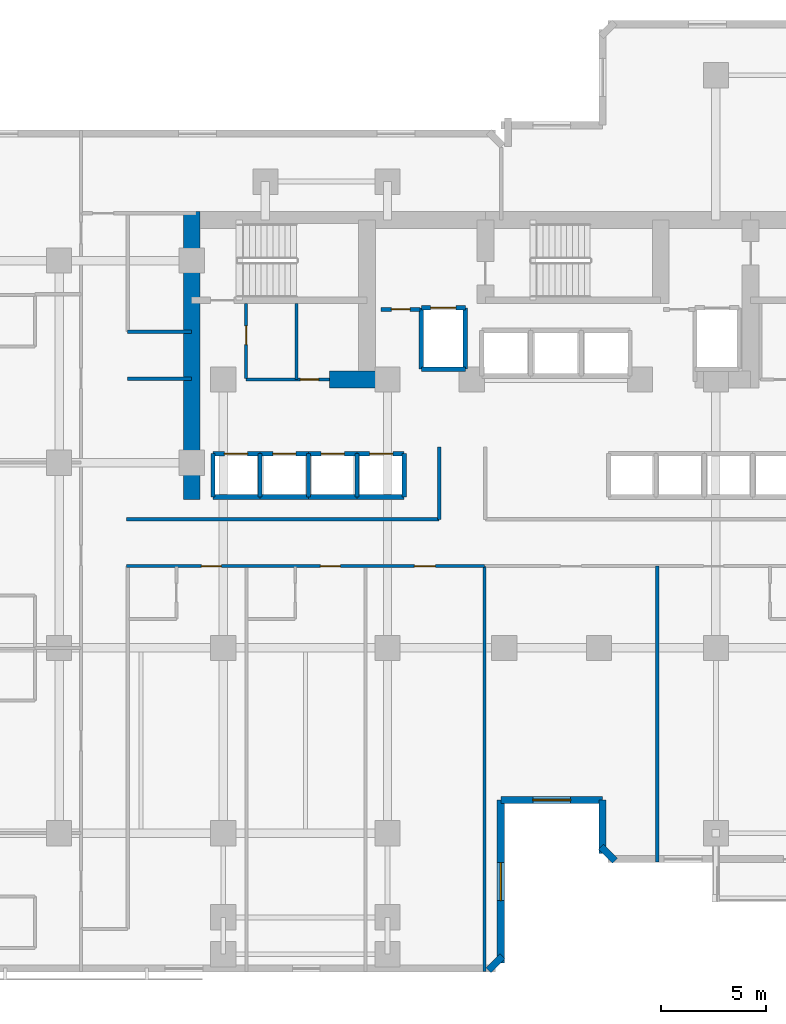
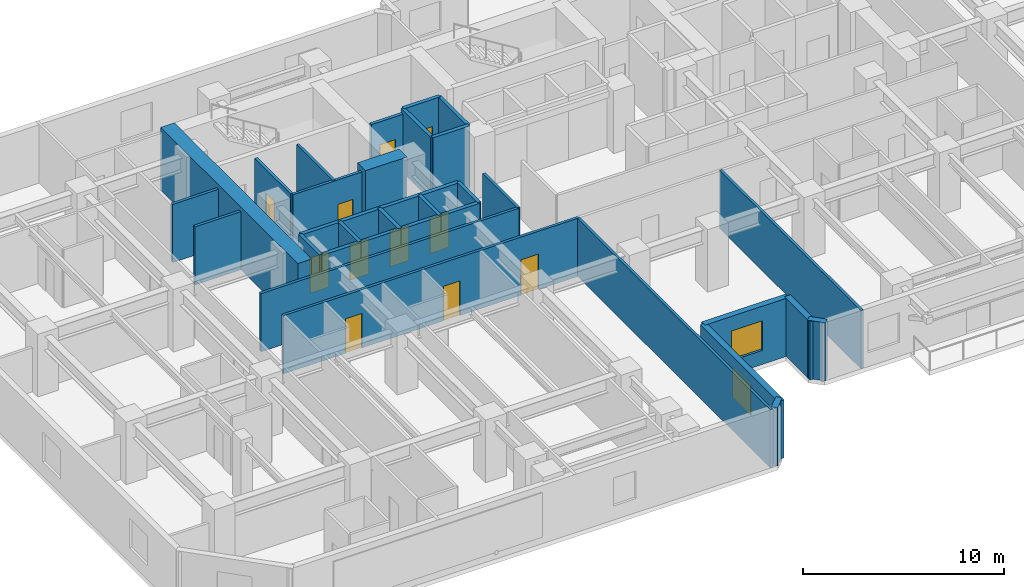
# One storey, part 7 of 13: 35 walls, 11 doors, 2 windows, 13 openings.
"""IFC4 building model written with IfcOpenShell, lengths in metres."""

from ifc_helpers import new_model, si_unit, direction, frame, frame_2d, origin, place, context, subcontext, project, spatial, rectangle, extrude, material, layer, layer_set, type_object, element, fill, save


model = new_model("IFC4")

# Units and contexts
model_context = context("Model", 3, precision=1e-05, world=origin(), true_north=direction((0.0, 1.0)))
body_context = subcontext(model_context, "Body", "Model", "MODEL_VIEW")
ifc_project = project(units=[si_unit("LENGTHUNIT", "METRE"), si_unit("AREAUNIT", "SQUARE_METRE"), si_unit("VOLUMEUNIT", "CUBIC_METRE"), si_unit("PLANEANGLEUNIT", "RADIAN"), si_unit("MASSUNIT", "GRAM", prefix="KILO")], contexts=[model_context])

# Site, building, storey
site_placement = place(None, origin())
site = spatial("IfcSite", under=ifc_project, at=site_placement, CompositionType="ELEMENT")
building_placement = place(site_placement, origin())
building = spatial("IfcBuilding", under=site, at=building_placement, Name="Kestravale Grand Hotel", CompositionType="ELEMENT")
storey_placement = place(building_placement, frame((0.0, 0.0, 88.0)))
storey = spatial("IfcBuildingStorey", under=building, at=storey_placement, Name="L21", CompositionType="ELEMENT", Elevation=88.0)

# Walls
ifc_material_1 = material(Name="Concrete f'c 60 MPa", Category="concrete")
ifc_layer_1 = layer(ifc_material_1, 0.800048828125)
ifc_layer_set_1 = layer_set([ifc_layer_1], Name="EW-CORE-800")
wall_type_1 = type_object("IfcWallType", Name="EW-CORE-800", PredefinedType="SHEAR", material=ifc_layer_set_1)
wall_1_placement = place(storey_placement, frame((21.89990234375, 27.050048828125, 0.0), z_axis=(0.0, 0.0, 1.0), x_axis=(0.0, 1.0, 0.0)))
element("IfcWall", 1, at=wall_1_placement, inside=storey, type_object=wall_type_1, Name="L21 core shear wall W1", PredefinedType="SHEAR", context=body_context, shape_type="SweptSolid", body=[
    extrude(rectangle(XDim=13.669921875, YDim=0.800048828125, at=frame_2d((6.8349609375, 0.0))), origin(), (0.0, 0.0, 1.0), 3.800048828125),
])
wall_2_placement = place(storey_placement, frame((28.449951171875, 32.75, 0.0), z_axis=(0.0, 0.0, 1.0), x_axis=(1.0, 0.0, 0.0)))
element("IfcWall", 2, at=wall_2_placement, inside=storey, type_object=wall_type_1, Name="L21 core shear wall S1", PredefinedType="SHEAR", context=body_context, shape_type="SweptSolid", body=[
    extrude(rectangle(XDim=2.400146484375, YDim=0.800048828125, at=frame_2d((1.2001953125, 0.0))), origin(), (0.0, 0.0, 1.0), 3.800048828125),
])
ifc_material_2 = material(Name="Precast concrete f'c 45 MPa", Category="concrete")
ifc_layer_2 = layer(ifc_material_2, 0.340087890625)
ifc_layer_set_2 = layer_set([ifc_layer_2], Name="EW-PREC-340")
wall_type_2 = type_object("IfcWallType", Name="EW-PREC-340", PredefinedType="SOLIDWALL", material=ifc_layer_set_2)
wall_3_placement = place(storey_placement, frame((36.00146484375, 4.69189453125, 0.0), z_axis=(0.0, 0.0, 1.0), x_axis=(0.707238225886, 0.706975312048, 0.0)))
element("IfcWall", 3, at=wall_3_placement, inside=storey, type_object=wall_type_2, Name="L21 fluted precast facade wall 2", PredefinedType="SOLIDWALL", context=body_context, shape_type="SweptSolid", body=[
    extrude(rectangle(XDim=0.9287109375, YDim=0.340087890625, at=frame_2d((0.46435546875, 0.0))), origin(), (0.0, 0.0, 1.0), 3.5400390625),
])

# Wall, opening, window
wall_4_placement = place(storey_placement, frame((36.580078125, 5.030029296875, 0.0), z_axis=(0.0, 0.0, 1.0), x_axis=(0.0, 1.0, 0.0)))
wall_4 = element("IfcWall", 4, at=wall_4_placement, inside=storey, type_object=wall_type_2, Name="L21 fluted precast facade wall 3", PredefinedType="SOLIDWALL", context=body_context, shape_type="SweptSolid", body=[
    extrude(rectangle(XDim=7.739990234375, YDim=0.340087890625, at=frame_2d((3.8701171875, 0.0))), origin(), (0.0, 0.0, 1.0), 3.5400390625),
])
opening_1_placement = place(wall_4_placement, frame((2.969970703125, 0.0, 0.85009765625)))
opening_1 = element("IfcOpeningElement", 5, at=opening_1_placement, cuts=wall_4, Name="Opening W-GUEST-1800", PredefinedType="OPENING", context=body_context, shape_type="SweptSolid", body=[
    extrude(rectangle(XDim=1.800048828125, YDim=1.800048828125, at=frame_2d((0.89990234375, 0.89990234375))), frame((0.0, 0.179931640625, 0.0), z_axis=(0.0, -1.0, 0.0), x_axis=(1.0, 0.0, 0.0)), (0.0, 0.0, 1.0), 0.360107421875),
])
ifc_material_3 = material(Name="Insulated low-E double glazing in aluminium frame", Category="aluminium")
window_type = type_object("IfcWindowType", Name="W-GUEST-1800", PartitioningType="DOUBLE_PANEL_VERTICAL", PredefinedType="WINDOW", material=ifc_material_3)
window_1_placement = place(opening_1_placement, origin())
window_1 = element("IfcWindow", 6, at=window_1_placement, inside=storey, type_object=window_type, Name="L21 exterior window 3.1", OverallHeight=1.800048828125, OverallWidth=1.800048828125, PartitioningType="SINGLE_PANEL", PredefinedType="WINDOW", context=body_context, shape_type="SweptSolid", body=[
    extrude(rectangle(XDim=1.800048828125, YDim=1.800048828125, at=frame_2d((0.89990234375, 0.89990234375))), frame((0.0, 0.030029296875, 0.0), z_axis=(0.0, -1.0, 0.0), x_axis=(1.0, 0.0, 0.0)), (0.0, 0.0, 1.0), 0.06005859375),
])
fill(opening_1, window_1)

wall_5_placement = place(storey_placement, frame((36.580078125, 12.77001953125, 0.0), z_axis=(0.0, 0.0, 1.0), x_axis=(1.0, 0.0, 0.0)))
wall_5 = element("IfcWall", 7, at=wall_5_placement, inside=storey, type_object=wall_type_2, Name="L21 fluted precast facade wall 4", PredefinedType="SOLIDWALL", context=body_context, shape_type="SweptSolid", body=[
    extrude(rectangle(XDim=4.83984375, YDim=0.340087890625, at=frame_2d((2.419921875, 0.0))), origin(), (0.0, 0.0, 1.0), 3.5400390625),
])
opening_2_placement = place(wall_5_placement, frame((1.52001953125, 0.0, 0.85009765625)))
opening_2 = element("IfcOpeningElement", 8, at=opening_2_placement, cuts=wall_5, Name="Opening W-GUEST-1800", PredefinedType="OPENING", context=body_context, shape_type="SweptSolid", body=[
    extrude(rectangle(XDim=1.800048828125, YDim=1.800048828125, at=frame_2d((0.89990234375, 0.89990234375))), frame((0.0, 0.179931640625, 0.0), z_axis=(0.0, -1.0, 0.0), x_axis=(1.0, 0.0, 0.0)), (0.0, 0.0, 1.0), 0.360107421875),
])
window_2_placement = place(opening_2_placement, origin())
window_2 = element("IfcWindow", 9, at=window_2_placement, inside=storey, type_object=window_type, Name="L21 exterior window 4.1", OverallHeight=1.800048828125, OverallWidth=1.800048828125, PartitioningType="SINGLE_PANEL", PredefinedType="WINDOW", context=body_context, shape_type="SweptSolid", body=[
    extrude(rectangle(XDim=1.800048828125, YDim=1.800048828125, at=frame_2d((0.89990234375, 0.89990234375))), frame((0.0, 0.030029296875, 0.0), z_axis=(0.0, -1.0, 0.0), x_axis=(1.0, 0.0, 0.0)), (0.0, 0.0, 1.0), 0.06005859375),
])
fill(opening_2, window_2)

# Walls
wall_6_placement = place(storey_placement, frame((41.419921875, 12.77001953125, 0.0), z_axis=(0.0, 0.0, 1.0), x_axis=(0.0, -1.0, 0.0)))
element("IfcWall", 10, at=wall_6_placement, inside=storey, type_object=wall_type_2, Name="L21 fluted precast facade wall 5", PredefinedType="SOLIDWALL", context=body_context, shape_type="SweptSolid", body=[
    extrude(rectangle(XDim=2.5400390625, YDim=0.340087890625, at=frame_2d((1.27001953125, 0.0))), origin(), (0.0, 0.0, 1.0), 3.5400390625),
])
wall_7_placement = place(storey_placement, frame((41.341796875, 10.548583984375, 0.0), z_axis=(0.0, 0.0, 1.0), x_axis=(0.707106781187, -0.707106781187, 0.0)))
element("IfcWall", 11, at=wall_7_placement, inside=storey, type_object=wall_type_2, Name="L21 fluted precast facade wall 6", PredefinedType="SOLIDWALL", context=body_context, shape_type="SweptSolid", body=[
    extrude(rectangle(XDim=0.9287109375, YDim=0.340087890625, at=frame_2d((0.46435546875, 0.0))), origin(), (0.0, 0.0, 1.0), 3.5400390625),
])

# Wall, opening, door
ifc_material_4 = material(Name="Acoustic fire-rated gypsum board partition", Category="other")
ifc_layer_3 = layer(ifc_material_4, 0.159912109375)
ifc_layer_set_3 = layer_set([ifc_layer_3], Name="IW-CORR-160")
wall_type_3 = type_object("IfcWallType", Name="IW-CORR-160", PredefinedType="PARTITIONING", material=ifc_layer_set_3)
wall_8_placement = place(storey_placement, frame((24.47998046875, 32.800048828125, 0.0), z_axis=(0.0, 0.0, 1.0), x_axis=(0.0, 1.0, 0.0)))
wall_8 = element("IfcWall", 12, at=wall_8_placement, inside=storey, type_object=wall_type_3, Name="L21 west core vestibule wall", PredefinedType="PARTITIONING", context=body_context, shape_type="SweptSolid", body=[
    extrude(rectangle(XDim=3.570068359375, YDim=0.159912109375, at=frame_2d((1.78515625, 0.0))), origin(), (0.0, 0.0, 1.0), 3.5400390625),
])
opening_3_placement = place(wall_8_placement, frame((1.603515625, 0.0, 0.0)))
opening_3 = element("IfcOpeningElement", 13, at=opening_3_placement, cuts=wall_8, Name="Opening D-SH-900", PredefinedType="OPENING", context=body_context, shape_type="SweptSolid", body=[
    extrude(rectangle(XDim=0.89990234375, YDim=2.10009765625, at=frame_2d((0.449951171875, 1.050048828125))), frame((0.0, 0.08984375, 0.0), z_axis=(0.0, -1.0, 0.0), x_axis=(1.0, 0.0, 0.0)), (0.0, 0.0, 1.0), 0.179931640625),
])
ifc_material_5 = material(Name="Galvanised 90-minute shaft and service fire door", Category="steel")
door_type_1 = type_object("IfcDoorType", Name="D-SH-900", OperationType="NOTDEFINED", PredefinedType="DOOR", material=ifc_material_5)
door_1_placement = place(opening_3_placement, origin())
door_1 = element("IfcDoor", 14, at=door_1_placement, inside=storey, type_object=door_type_1, Name="D-L21-HK", OperationType="SINGLE_SWING_RIGHT", OverallHeight=2.10009765625, OverallWidth=0.89990234375, PredefinedType="DOOR", context=body_context, shape_type="SweptSolid", body=[
    extrude(rectangle(XDim=0.89990234375, YDim=2.10009765625, at=frame_2d((0.449951171875, 1.050048828125))), frame((0.0, 0.02490234375, 0.0), z_axis=(0.0, -1.0, 0.0), x_axis=(1.0, 0.0, 0.0)), (0.0, 0.0, 1.0), 0.050048828125),
])
fill(opening_3, door_1)

wall_9_placement = place(storey_placement, frame((24.47998046875, 32.75, 0.0), z_axis=(0.0, 0.0, 1.0), x_axis=(1.0, 0.0, 0.0)))
wall_9 = element("IfcWall", 15, at=wall_9_placement, inside=storey, type_object=wall_type_3, Name="W-L21-CWS", PredefinedType="PARTITIONING", context=body_context, shape_type="SweptSolid", body=[
    extrude(rectangle(XDim=3.969970703125, YDim=0.159912109375, at=frame_2d((1.98486328125, 0.0))), origin(), (0.0, 0.0, 1.0), 3.5400390625),
])
opening_4_placement = place(wall_9_placement, frame((2.5849609375, 0.0, 0.0)))
opening_4 = element("IfcOpeningElement", 16, at=opening_4_placement, cuts=wall_9, Name="Opening D-SH-860", PredefinedType="OPENING", context=body_context, shape_type="SweptSolid", body=[
    extrude(rectangle(XDim=0.860107421875, YDim=2.050048828125, at=frame_2d((0.43017578125, 1.02490234375))), frame((0.0, 0.08984375, 0.0), z_axis=(0.0, -1.0, 0.0), x_axis=(1.0, 0.0, 0.0)), (0.0, 0.0, 1.0), 0.179931640625),
])
ifc_material_6 = material(Name="Galvanised 90-minute riser fire door", Category="steel")
door_type_2 = type_object("IfcDoorType", Name="D-SH-860", OperationType="NOTDEFINED", PredefinedType="DOOR", material=ifc_material_6)
door_2_placement = place(opening_4_placement, origin())
door_2 = element("IfcDoor", 17, at=door_2_placement, inside=storey, type_object=door_type_2, Name="D-L21-ELEC", OperationType="SINGLE_SWING_RIGHT", OverallHeight=2.050048828125, OverallWidth=0.860107421875, PredefinedType="DOOR", context=body_context, shape_type="SweptSolid", body=[
    extrude(rectangle(XDim=0.860107421875, YDim=2.050048828125, at=frame_2d((0.43017578125, 1.02490234375))), frame((0.0, 0.02490234375, 0.0), z_axis=(0.0, -1.0, 0.0), x_axis=(1.0, 0.0, 0.0)), (0.0, 0.0, 1.0), 0.050048828125),
])
fill(opening_4, door_2)

# Walls
wall_10_placement = place(storey_placement, frame((18.800048828125, 26.110107421875, 0.0), z_axis=(0.0, 0.0, 1.0), x_axis=(1.0, 0.0, 0.0)))
element("IfcWall", 18, at=wall_10_placement, inside=storey, type_object=wall_type_3, Name="W-L21-CW-N", PredefinedType="PARTITIONING", context=body_context, shape_type="SweptSolid", body=[
    extrude(rectangle(XDim=14.849853515625, YDim=0.159912109375, at=frame_2d((7.4248046875, 0.0))), origin(), (0.0, 0.0, 1.0), 3.5400390625),
])
wall_11_placement = place(storey_placement, frame((33.64990234375, 26.110107421875, 0.0), z_axis=(0.0, 0.0, 1.0), x_axis=(0.0, 1.0, 0.0)))
element("IfcWall", 19, at=wall_11_placement, inside=storey, type_object=wall_type_3, Name="W-L21-TRUNK-W", PredefinedType="PARTITIONING", context=body_context, shape_type="SweptSolid", body=[
    extrude(rectangle(XDim=3.43994140625, YDim=0.159912109375, at=frame_2d((1.719970703125, 0.0))), origin(), (0.0, 0.0, 1.0), 3.5400390625),
])

# Wall, openings, doors
wall_12_placement = place(storey_placement, frame((18.800048828125, 23.889892578125, 0.0), z_axis=(0.0, 0.0, 1.0), x_axis=(1.0, 0.0, 0.0)))
wall_12 = element("IfcWall", 20, at=wall_12_placement, inside=storey, type_object=wall_type_3, Name="W-L21-CW-S", PredefinedType="PARTITIONING", context=body_context, shape_type="SweptSolid", body=[
    extrude(rectangle(XDim=17.0, YDim=0.159912109375, at=frame_2d((8.5, 0.0))), origin(), (0.0, 0.0, 1.0), 3.5400390625),
])
opening_5_placement = place(wall_12_placement, frame((3.563232421875, 0.0, 0.0)))
opening_5 = element("IfcOpeningElement", 21, at=opening_5_placement, cuts=wall_12, Name="Opening D-GUEST-950", PredefinedType="OPENING", context=body_context, shape_type="SweptSolid", body=[
    extrude(rectangle(XDim=0.949951171875, YDim=2.10009765625, at=frame_2d((0.47509765625, 1.050048828125))), frame((0.0, 0.08984375, 0.0), z_axis=(0.0, -1.0, 0.0), x_axis=(1.0, 0.0, 0.0)), (0.0, 0.0, 1.0), 0.179931640625),
])
opening_6_placement = place(wall_12_placement, frame((9.2099609375, 0.0, 0.0)))
opening_6 = element("IfcOpeningElement", 22, at=opening_6_placement, cuts=wall_12, Name="Opening D-GUEST-950", PredefinedType="OPENING", context=body_context, shape_type="SweptSolid", body=[
    extrude(rectangle(XDim=0.949951171875, YDim=2.10009765625, at=frame_2d((0.47509765625, 1.050048828125))), frame((0.0, 0.08984375, 0.0), z_axis=(0.0, -1.0, 0.0), x_axis=(1.0, 0.0, 0.0)), (0.0, 0.0, 1.0), 0.179931640625),
])
opening_7_placement = place(wall_12_placement, frame((13.6767578125, 0.0, 0.0)))
opening_7 = element("IfcOpeningElement", 23, at=opening_7_placement, cuts=wall_12, Name="Opening D-GUEST-1000", PredefinedType="OPENING", context=body_context, shape_type="SweptSolid", body=[
    extrude(rectangle(XDim=1.0, YDim=2.14990234375, at=frame_2d((0.5, 1.074951171875))), frame((0.0, 0.08984375, 0.0), z_axis=(0.0, -1.0, 0.0), x_axis=(1.0, 0.0, 0.0)), (0.0, 0.0, 1.0), 0.179931640625),
])
ifc_material_7 = material(Name="Accessible walnut veneer hotel entrance fire door", Category="wood")
door_type_3 = type_object("IfcDoorType", Name="D-GUEST-1000", OperationType="NOTDEFINED", PredefinedType="DOOR", material=ifc_material_7)
door_3_placement = place(opening_7_placement, origin())
door_3 = element("IfcDoor", 24, at=door_3_placement, inside=storey, type_object=door_type_3, Name="D-L21-AMW", OperationType="SINGLE_SWING_LEFT", OverallHeight=2.14990234375, OverallWidth=1.0, PredefinedType="DOOR", context=body_context, shape_type="SweptSolid", body=[
    extrude(rectangle(XDim=1.0, YDim=2.14990234375, at=frame_2d((0.5, 1.074951171875))), frame((0.0, 0.02490234375, 0.0), z_axis=(0.0, -1.0, 0.0), x_axis=(1.0, 0.0, 0.0)), (0.0, 0.0, 1.0), 0.050048828125),
])
fill(opening_7, door_3)
ifc_material_8 = material(Name="Walnut veneer hotel guestroom entrance fire door", Category="wood")
door_type_4 = type_object("IfcDoorType", Name="D-GUEST-950", OperationType="NOTDEFINED", PredefinedType="DOOR", material=ifc_material_8)
door_4_placement = place(opening_5_placement, origin())
door_4 = element("IfcDoor", 25, at=door_4_placement, inside=storey, type_object=door_type_4, Name="D-L21-U01-ENT", OperationType="SINGLE_SWING_RIGHT", OverallHeight=2.10009765625, OverallWidth=0.949951171875, PredefinedType="DOOR", context=body_context, shape_type="SweptSolid", body=[
    extrude(rectangle(XDim=0.949951171875, YDim=2.10009765625, at=frame_2d((0.47509765625, 1.050048828125))), frame((0.0, 0.02490234375, 0.0), z_axis=(0.0, -1.0, 0.0), x_axis=(1.0, 0.0, 0.0)), (0.0, 0.0, 1.0), 0.050048828125),
])
fill(opening_5, door_4)
door_5_placement = place(opening_6_placement, origin())
door_5 = element("IfcDoor", 26, at=door_5_placement, inside=storey, type_object=door_type_4, Name="D-L21-U02-ENT", OperationType="SINGLE_SWING_RIGHT", OverallHeight=2.10009765625, OverallWidth=0.949951171875, PredefinedType="DOOR", context=body_context, shape_type="SweptSolid", body=[
    extrude(rectangle(XDim=0.949951171875, YDim=2.10009765625, at=frame_2d((0.47509765625, 1.050048828125))), frame((0.0, 0.02490234375, 0.0), z_axis=(0.0, -1.0, 0.0), x_axis=(1.0, 0.0, 0.0)), (0.0, 0.0, 1.0), 0.050048828125),
])
fill(opening_6, door_5)

# Walls
for number, where, z_axis, x_axis, name in (
    (27, (18.860107421875, 35.02001953125, 0.0), (0.0, 0.0, 1.0), (1.0, 0.0, 0.0), "W-L21-SW-CN"),
    (28, (18.860107421875, 32.780029296875, 0.0), (0.0, 0.0, 1.0), (1.0, 0.0, 0.0), "W-L21-SW-CS"),
):
    element("IfcWall", number, at=place(storey_placement, frame(where, z_axis=z_axis, x_axis=x_axis)), inside=storey, type_object=wall_type_3, Name=name, PredefinedType="PARTITIONING", context=body_context, shape_type="SweptSolid", body=[
        extrude(rectangle(XDim=3.039794921875, YDim=0.159912109375, at=frame_2d((1.52001953125, 0.0))), origin(), (0.0, 0.0, 1.0), 3.5400390625),
    ])

# Wall, opening, door
ifc_material_9 = material(Name="Fire-rated gypsum board on steel studs with mineral wool", Category="steel")
ifc_layer_4 = layer(ifc_material_9, 0.179931640625)
ifc_layer_set_4 = layer_set([ifc_layer_4], Name="IW-FSAE-180")
wall_type_4 = type_object("IfcWallType", Name="IW-FSAE-180", PredefinedType="PARTITIONING", material=ifc_layer_set_4)
wall_13_placement = place(storey_placement, frame((30.89990234375, 36.080078125, 0.0), z_axis=(0.0, 0.0, 1.0), x_axis=(1.0, 0.0, 0.0)))
wall_13 = element("IfcWall", 29, at=wall_13_placement, inside=storey, type_object=wall_type_4, Name="L21 FSAE Lobby 1 smoke barrier", PredefinedType="PARTITIONING", context=body_context, shape_type="SweptSolid", body=[
    extrude(rectangle(XDim=1.85009765625, YDim=0.179931640625, at=frame_2d((0.925048828125, 0.0))), origin(), (0.0, 0.0, 1.0), 3.5400390625),
])
opening_8_placement = place(wall_13_placement, frame((0.47998046875, 0.0, 0.0)))
opening_8 = element("IfcOpeningElement", 30, at=opening_8_placement, cuts=wall_13, Name="Opening D-FSAE-1000", PredefinedType="OPENING", context=body_context, shape_type="SweptSolid", body=[
    extrude(rectangle(XDim=0.89990234375, YDim=2.14990234375, at=frame_2d((0.449951171875, 1.074951171875))), frame((0.0, 0.099853515625, 0.0), z_axis=(0.0, -1.0, 0.0), x_axis=(1.0, 0.0, 0.0)), (0.0, 0.0, 1.0), 0.199951171875),
])
ifc_material_10 = material(Name="Smoke-gasketed FSAE lobby fire door", Category="steel")
door_type_5 = type_object("IfcDoorType", Name="D-FSAE-1000", OperationType="NOTDEFINED", PredefinedType="DOOR", material=ifc_material_10)
door_6_placement = place(opening_8_placement, origin())
door_6 = element("IfcDoor", 31, at=door_6_placement, inside=storey, type_object=door_type_5, Name="L21 FSAE Lobby 1 fire door", OperationType="SINGLE_SWING_RIGHT", OverallHeight=2.14990234375, OverallWidth=0.89990234375, PredefinedType="DOOR", context=body_context, shape_type="SweptSolid", body=[
    extrude(rectangle(XDim=0.89990234375, YDim=2.14990234375, at=frame_2d((0.449951171875, 1.074951171875))), frame((0.0, 0.02490234375, 0.0), z_axis=(0.0, -1.0, 0.0), x_axis=(1.0, 0.0, 0.0)), (0.0, 0.0, 1.0), 0.050048828125),
])
fill(opening_8, door_6)

# Walls
ifc_material_11 = material(Name="Concrete f'c 45 MPa", Category="concrete")
ifc_layer_5 = layer(ifc_material_11, 0.199951171875)
ifc_layer_set_5 = layer_set([ifc_layer_5], Name="IW-SHAFT-200")
wall_type_5 = type_object("IfcWallType", Name="IW-SHAFT-200", PredefinedType="SHEAR", material=ifc_layer_set_5)
for number, where, z_axis, x_axis, name in (
    (32, (22.905029296875, 27.169921875, 0.0), (0.0, 0.0, 1.0), (0.0, 1.0, 0.0), "L21 PL-L1 west shaft wall"),
    (33, (25.14990234375, 27.169921875, 0.0), (0.0, 0.0, 1.0), (0.0, 1.0, 0.0), "L21 PL-L2 west shaft wall"),
    (34, (27.449951171875, 27.169921875, 0.0), (0.0, 0.0, 1.0), (0.0, 1.0, 0.0), "L21 PL-L3 west shaft wall"),
    (35, (29.75, 27.169921875, 0.0), (0.0, 0.0, 1.0), (0.0, 1.0, 0.0), "L21 PL-L4 west shaft wall"),
    (36, (31.9951171875, 27.169921875, 0.0), (0.0, 0.0, 1.0), (0.0, 1.0, 0.0), "L21 PL-L4 east shaft wall"),
):
    element("IfcWall", number, at=place(storey_placement, frame(where, z_axis=z_axis, x_axis=x_axis)), inside=storey, type_object=wall_type_5, Name=name, PredefinedType="SHEAR", context=body_context, shape_type="SweptSolid", body=[
        extrude(rectangle(XDim=2.06005859375, YDim=0.199951171875, at=frame_2d((1.030029296875, 0.0))), origin(), (0.0, 0.0, 1.0), 3.800048828125),
    ])
for number, where, z_axis, x_axis, name in (
    (37, (32.804931640625, 33.2451171875, 0.0), (0.0, 0.0, 1.0), (0.0, 1.0, 0.0), "L21 FL-1 west shaft wall"),
    (38, (34.89501953125, 33.2451171875, 0.0), (0.0, 0.0, 1.0), (0.0, 1.0, 0.0), "L21 FL-1 east shaft wall"),
):
    element("IfcWall", number, at=place(storey_placement, frame(where, z_axis=z_axis, x_axis=x_axis)), inside=storey, type_object=wall_type_5, Name=name, PredefinedType="SHEAR", context=body_context, shape_type="SweptSolid", body=[
        extrude(rectangle(XDim=2.909912109375, YDim=0.199951171875, at=frame_2d((1.455078125, 0.0))), origin(), (0.0, 0.0, 1.0), 3.800048828125),
    ])

# Wall, opening, door
ifc_material_12 = material(Name="Concrete f'c 45 MPa", Category="concrete")
ifc_layer_6 = layer(ifc_material_12, 0.219970703125)
ifc_layer_set_6 = layer_set([ifc_layer_6], Name="IW-SHAFT-220")
wall_type_6 = type_object("IfcWallType", Name="IW-SHAFT-220", PredefinedType="SHEAR", material=ifc_layer_set_6)
wall_14_placement = place(storey_placement, frame((22.905029296875, 29.22998046875, 0.0), z_axis=(0.0, 0.0, 1.0), x_axis=(1.0, 0.0, 0.0)))
wall_14 = element("IfcWall", 39, at=wall_14_placement, inside=storey, type_object=wall_type_6, Name="L21 PL-L1 north shaft wall", PredefinedType="SHEAR", context=body_context, shape_type="SweptSolid", body=[
    extrude(rectangle(XDim=2.244873046875, YDim=0.219970703125, at=frame_2d((1.12255859375, 0.0))), origin(), (0.0, 0.0, 1.0), 3.800048828125),
])
opening_9_placement = place(wall_14_placement, frame((0.544921875, 0.0, 0.0)))
opening_9 = element("IfcOpeningElement", 40, at=opening_9_placement, cuts=wall_14, Name="Opening LD-PAX-1100", PredefinedType="OPENING", context=body_context, shape_type="SweptSolid", body=[
    extrude(rectangle(XDim=1.10009765625, YDim=2.14990234375, at=frame_2d((0.550048828125, 1.074951171875))), frame((0.0, 0.119873046875, 0.0), z_axis=(0.0, -1.0, 0.0), x_axis=(1.0, 0.0, 0.0)), (0.0, 0.0, 1.0), 0.239990234375),
])
ifc_material_13 = material(Name="Champagne-bronze center-opening sliding elevator landing door", Category="steel")
door_type_6 = type_object("IfcDoorType", Name="LD-PAX-1100", OperationType="NOTDEFINED", PredefinedType="DOOR", material=ifc_material_13)
door_7_placement = place(opening_9_placement, origin())
door_7 = element("IfcDoor", 41, at=door_7_placement, inside=storey, type_object=door_type_6, Name="L21 PL-L1 elevator landing sliding door", OperationType="DOUBLE_DOOR_SLIDING", OverallHeight=2.14990234375, OverallWidth=1.10009765625, PredefinedType="DOOR", context=body_context, shape_type="SweptSolid", body=[
    extrude(rectangle(XDim=1.10009765625, YDim=2.14990234375, at=frame_2d((0.550048828125, 1.074951171875))), frame((0.0, 0.02490234375, 0.0), z_axis=(0.0, -1.0, 0.0), x_axis=(1.0, 0.0, 0.0)), (0.0, 0.0, 1.0), 0.050048828125),
])
fill(opening_9, door_7)

# Wall
wall_15_placement = place(storey_placement, frame((22.905029296875, 27.169921875, 0.0), z_axis=(0.0, 0.0, 1.0), x_axis=(1.0, 0.0, 0.0)))
element("IfcWall", 42, at=wall_15_placement, inside=storey, type_object=wall_type_6, Name="L21 PL-L1 south shaft wall", PredefinedType="SHEAR", context=body_context, shape_type="SweptSolid", body=[
    extrude(rectangle(XDim=2.244873046875, YDim=0.219970703125, at=frame_2d((1.12255859375, 0.0))), origin(), (0.0, 0.0, 1.0), 3.800048828125),
])

# Wall, opening, door
wall_16_placement = place(storey_placement, frame((25.14990234375, 29.22998046875, 0.0), z_axis=(0.0, 0.0, 1.0), x_axis=(1.0, 0.0, 0.0)))
wall_16 = element("IfcWall", 43, at=wall_16_placement, inside=storey, type_object=wall_type_6, Name="L21 PL-L2 north shaft wall", PredefinedType="SHEAR", context=body_context, shape_type="SweptSolid", body=[
    extrude(rectangle(XDim=2.300048828125, YDim=0.219970703125, at=frame_2d((1.14990234375, 0.0))), origin(), (0.0, 0.0, 1.0), 3.800048828125),
])
opening_10_placement = place(wall_16_placement, frame((0.60009765625, 0.0, 0.0)))
opening_10 = element("IfcOpeningElement", 44, at=opening_10_placement, cuts=wall_16, Name="Opening LD-PAX-1100", PredefinedType="OPENING", context=body_context, shape_type="SweptSolid", body=[
    extrude(rectangle(XDim=1.10009765625, YDim=2.14990234375, at=frame_2d((0.550048828125, 1.074951171875))), frame((0.0, 0.119873046875, 0.0), z_axis=(0.0, -1.0, 0.0), x_axis=(1.0, 0.0, 0.0)), (0.0, 0.0, 1.0), 0.239990234375),
])
door_8_placement = place(opening_10_placement, origin())
door_8 = element("IfcDoor", 45, at=door_8_placement, inside=storey, type_object=door_type_6, Name="L21 PL-L2 elevator landing sliding door", OperationType="DOUBLE_DOOR_SLIDING", OverallHeight=2.14990234375, OverallWidth=1.10009765625, PredefinedType="DOOR", context=body_context, shape_type="SweptSolid", body=[
    extrude(rectangle(XDim=1.10009765625, YDim=2.14990234375, at=frame_2d((0.550048828125, 1.074951171875))), frame((0.0, 0.02490234375, 0.0), z_axis=(0.0, -1.0, 0.0), x_axis=(1.0, 0.0, 0.0)), (0.0, 0.0, 1.0), 0.050048828125),
])
fill(opening_10, door_8)

# Wall
wall_17_placement = place(storey_placement, frame((25.14990234375, 27.169921875, 0.0), z_axis=(0.0, 0.0, 1.0), x_axis=(1.0, 0.0, 0.0)))
element("IfcWall", 46, at=wall_17_placement, inside=storey, type_object=wall_type_6, Name="L21 PL-L2 south shaft wall", PredefinedType="SHEAR", context=body_context, shape_type="SweptSolid", body=[
    extrude(rectangle(XDim=2.300048828125, YDim=0.219970703125, at=frame_2d((1.14990234375, 0.0))), origin(), (0.0, 0.0, 1.0), 3.800048828125),
])

# Wall, opening, door
wall_18_placement = place(storey_placement, frame((27.449951171875, 29.22998046875, 0.0), z_axis=(0.0, 0.0, 1.0), x_axis=(1.0, 0.0, 0.0)))
wall_18 = element("IfcWall", 47, at=wall_18_placement, inside=storey, type_object=wall_type_6, Name="L21 PL-L3 north shaft wall", PredefinedType="SHEAR", context=body_context, shape_type="SweptSolid", body=[
    extrude(rectangle(XDim=2.300048828125, YDim=0.219970703125, at=frame_2d((1.14990234375, 0.0))), origin(), (0.0, 0.0, 1.0), 3.800048828125),
])
opening_11_placement = place(wall_18_placement, frame((0.60009765625, 0.0, 0.0)))
opening_11 = element("IfcOpeningElement", 48, at=opening_11_placement, cuts=wall_18, Name="Opening LD-PAX-1100", PredefinedType="OPENING", context=body_context, shape_type="SweptSolid", body=[
    extrude(rectangle(XDim=1.10009765625, YDim=2.14990234375, at=frame_2d((0.550048828125, 1.074951171875))), frame((0.0, 0.119873046875, 0.0), z_axis=(0.0, -1.0, 0.0), x_axis=(1.0, 0.0, 0.0)), (0.0, 0.0, 1.0), 0.239990234375),
])
door_9_placement = place(opening_11_placement, origin())
door_9 = element("IfcDoor", 49, at=door_9_placement, inside=storey, type_object=door_type_6, Name="L21 PL-L3 elevator landing sliding door", OperationType="DOUBLE_DOOR_SLIDING", OverallHeight=2.14990234375, OverallWidth=1.10009765625, PredefinedType="DOOR", context=body_context, shape_type="SweptSolid", body=[
    extrude(rectangle(XDim=1.10009765625, YDim=2.14990234375, at=frame_2d((0.550048828125, 1.074951171875))), frame((0.0, 0.02490234375, 0.0), z_axis=(0.0, -1.0, 0.0), x_axis=(1.0, 0.0, 0.0)), (0.0, 0.0, 1.0), 0.050048828125),
])
fill(opening_11, door_9)

# Wall
wall_19_placement = place(storey_placement, frame((27.449951171875, 27.169921875, 0.0), z_axis=(0.0, 0.0, 1.0), x_axis=(1.0, 0.0, 0.0)))
element("IfcWall", 50, at=wall_19_placement, inside=storey, type_object=wall_type_6, Name="L21 PL-L3 south shaft wall", PredefinedType="SHEAR", context=body_context, shape_type="SweptSolid", body=[
    extrude(rectangle(XDim=2.300048828125, YDim=0.219970703125, at=frame_2d((1.14990234375, 0.0))), origin(), (0.0, 0.0, 1.0), 3.800048828125),
])

# Wall, opening, door
wall_20_placement = place(storey_placement, frame((29.75, 29.22998046875, 0.0), z_axis=(0.0, 0.0, 1.0), x_axis=(1.0, 0.0, 0.0)))
wall_20 = element("IfcWall", 51, at=wall_20_placement, inside=storey, type_object=wall_type_6, Name="L21 PL-L4 north shaft wall", PredefinedType="SHEAR", context=body_context, shape_type="SweptSolid", body=[
    extrude(rectangle(XDim=2.2451171875, YDim=0.219970703125, at=frame_2d((1.12255859375, 0.0))), origin(), (0.0, 0.0, 1.0), 3.800048828125),
])
opening_12_placement = place(wall_20_placement, frame((0.60009765625, 0.0, 0.0)))
opening_12 = element("IfcOpeningElement", 52, at=opening_12_placement, cuts=wall_20, Name="Opening LD-PAX-1100", PredefinedType="OPENING", context=body_context, shape_type="SweptSolid", body=[
    extrude(rectangle(XDim=1.10009765625, YDim=2.14990234375, at=frame_2d((0.550048828125, 1.074951171875))), frame((0.0, 0.119873046875, 0.0), z_axis=(0.0, -1.0, 0.0), x_axis=(1.0, 0.0, 0.0)), (0.0, 0.0, 1.0), 0.239990234375),
])
door_10_placement = place(opening_12_placement, origin())
door_10 = element("IfcDoor", 53, at=door_10_placement, inside=storey, type_object=door_type_6, Name="L21 PL-L4 elevator landing sliding door", OperationType="DOUBLE_DOOR_SLIDING", OverallHeight=2.14990234375, OverallWidth=1.10009765625, PredefinedType="DOOR", context=body_context, shape_type="SweptSolid", body=[
    extrude(rectangle(XDim=1.10009765625, YDim=2.14990234375, at=frame_2d((0.550048828125, 1.074951171875))), frame((0.0, 0.02490234375, 0.0), z_axis=(0.0, -1.0, 0.0), x_axis=(1.0, 0.0, 0.0)), (0.0, 0.0, 1.0), 0.050048828125),
])
fill(opening_12, door_10)

# Wall
wall_21_placement = place(storey_placement, frame((29.75, 27.169921875, 0.0), z_axis=(0.0, 0.0, 1.0), x_axis=(1.0, 0.0, 0.0)))
element("IfcWall", 54, at=wall_21_placement, inside=storey, type_object=wall_type_6, Name="L21 PL-L4 south shaft wall", PredefinedType="SHEAR", context=body_context, shape_type="SweptSolid", body=[
    extrude(rectangle(XDim=2.2451171875, YDim=0.219970703125, at=frame_2d((1.12255859375, 0.0))), origin(), (0.0, 0.0, 1.0), 3.800048828125),
])

# Wall, opening, door
wall_22_placement = place(storey_placement, frame((32.804931640625, 36.155029296875, 0.0), z_axis=(0.0, 0.0, 1.0), x_axis=(1.0, 0.0, 0.0)))
wall_22 = element("IfcWall", 55, at=wall_22_placement, inside=storey, type_object=wall_type_6, Name="L21 FL-1 north shaft wall", PredefinedType="SHEAR", context=body_context, shape_type="SweptSolid", body=[
    extrude(rectangle(XDim=2.090087890625, YDim=0.219970703125, at=frame_2d((1.044921875, 0.0))), origin(), (0.0, 0.0, 1.0), 3.800048828125),
])
opening_13_placement = place(wall_22_placement, frame((0.445068359375, 0.0, 0.0)))
opening_13 = element("IfcOpeningElement", 56, at=opening_13_placement, cuts=wall_22, Name="Opening LD-FSAE-1200", PredefinedType="OPENING", context=body_context, shape_type="SweptSolid", body=[
    extrude(rectangle(XDim=1.199951171875, YDim=2.14990234375, at=frame_2d((0.60009765625, 1.074951171875))), frame((0.0, 0.119873046875, 0.0), z_axis=(0.0, -1.0, 0.0), x_axis=(1.0, 0.0, 0.0)), (0.0, 0.0, 1.0), 0.239990234375),
])
ifc_material_14 = material(Name="Stainless fire-service sliding elevator landing door", Category="steel")
door_type_7 = type_object("IfcDoorType", Name="LD-FSAE-1200", OperationType="NOTDEFINED", PredefinedType="DOOR", material=ifc_material_14)
door_11_placement = place(opening_13_placement, origin())
door_11 = element("IfcDoor", 57, at=door_11_placement, inside=storey, type_object=door_type_7, Name="L21 FL-1 elevator landing sliding door", OperationType="DOUBLE_DOOR_SLIDING", OverallHeight=2.14990234375, OverallWidth=1.199951171875, PredefinedType="DOOR", context=body_context, shape_type="SweptSolid", body=[
    extrude(rectangle(XDim=1.199951171875, YDim=2.14990234375, at=frame_2d((0.60009765625, 1.074951171875))), frame((0.0, 0.02490234375, 0.0), z_axis=(0.0, -1.0, 0.0), x_axis=(1.0, 0.0, 0.0)), (0.0, 0.0, 1.0), 0.050048828125),
])
fill(opening_13, door_11)

# Walls
wall_23_placement = place(storey_placement, frame((32.804931640625, 33.2451171875, 0.0), z_axis=(0.0, 0.0, 1.0), x_axis=(1.0, 0.0, 0.0)))
element("IfcWall", 58, at=wall_23_placement, inside=storey, type_object=wall_type_6, Name="L21 FL-1 south shaft wall", PredefinedType="SHEAR", context=body_context, shape_type="SweptSolid", body=[
    extrude(rectangle(XDim=2.090087890625, YDim=0.219970703125, at=frame_2d((1.044921875, 0.0))), origin(), (0.0, 0.0, 1.0), 3.800048828125),
])
ifc_material_15 = material(Name="Double-stud STC 52 acoustic demising partition", Category="other")
ifc_layer_7 = layer(ifc_material_15, 0.14990234375)
ifc_layer_set_7 = layer_set([ifc_layer_7], Name="IW-UNIT-150")
wall_type_7 = type_object("IfcWallType", Name="IW-UNIT-150", PredefinedType="PARTITIONING", material=ifc_layer_set_7)
wall_24_placement = place(storey_placement, frame((26.8798828125, 32.75, 0.0), z_axis=(0.0, 0.0, 1.0), x_axis=(0.0, 1.0, 0.0)))
element("IfcWall", 59, at=wall_24_placement, inside=storey, type_object=wall_type_7, Name="W-L21-CC0-1", PredefinedType="PARTITIONING", context=body_context, shape_type="SweptSolid", body=[
    extrude(rectangle(XDim=3.6201171875, YDim=0.14990234375, at=frame_2d((1.81005859375, 0.0))), origin(), (0.0, 0.0, 1.0), 3.5400390625),
])
wall_25_placement = place(storey_placement, frame((35.800048828125, 4.6201171875, 0.0), z_axis=(0.0, 0.0, 1.0), x_axis=(0.0, 1.0, 0.0)))
element("IfcWall", 60, at=wall_25_placement, inside=storey, type_object=wall_type_7, Name="W-L21-MID-S", PredefinedType="PARTITIONING", context=body_context, shape_type="SweptSolid", body=[
    extrude(rectangle(XDim=19.25, YDim=0.14990234375, at=frame_2d((9.625, 0.0))), origin(), (0.0, 0.0, 1.0), 3.5400390625),
])
wall_26_placement = place(storey_placement, frame((44.01318359375, 9.820068359375, 0.0), z_axis=(0.0, 0.0, 1.0), x_axis=(0.0, 1.0, 0.0)))
element("IfcWall", 61, at=wall_26_placement, inside=storey, type_object=wall_type_7, Name="W-L21-ES-1", PredefinedType="PARTITIONING", context=body_context, shape_type="SweptSolid", body=[
    extrude(rectangle(XDim=14.06982421875, YDim=0.14990234375, at=frame_2d((7.034912109375, 0.0))), origin(), (0.0, 0.0, 1.0), 3.5400390625),
])

save(model, "model.ifc")
